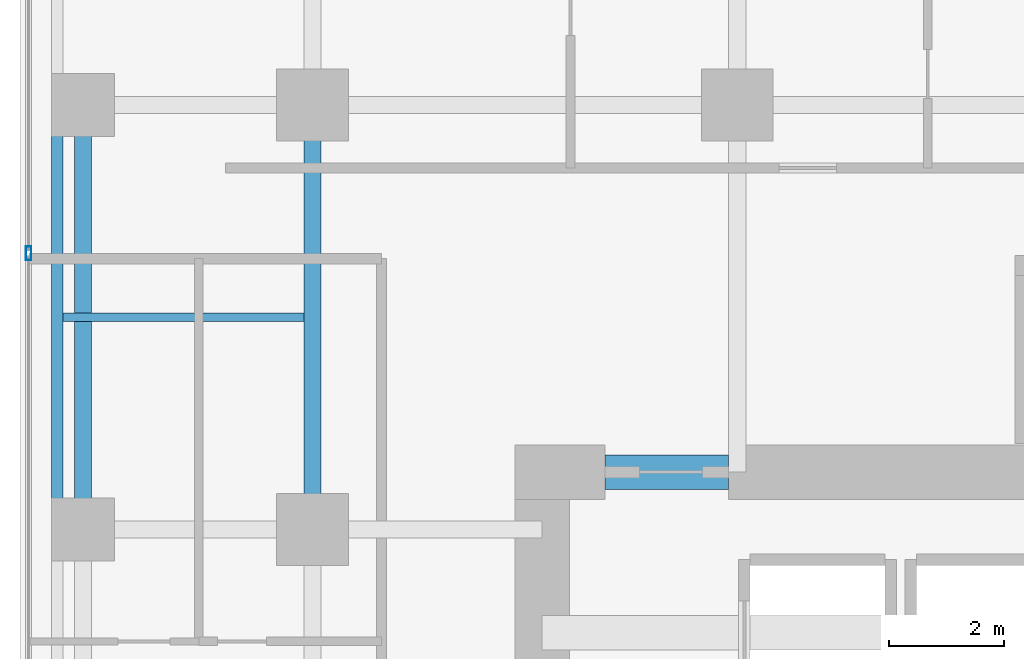
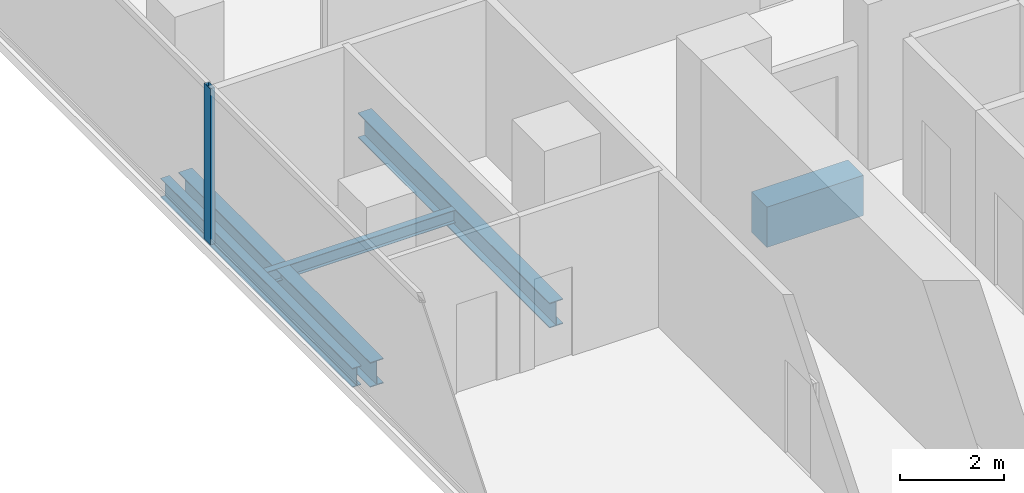
# One storey, part 7 of 27: 5 beams, 1 member, 1 element without a shape of its own.
"""IFC4 building model written with IfcOpenShell, lengths in metres."""

import ifcopenshell
import ifcopenshell.guid

model = None  # the IFC model being written
_history = None  # IfcOwnerHistory: only IFC2X3 demands one
_inside = {}  # id of a spatial element -> (the spatial element, [elements in it])
_under = {}  # id of a project, library or spatial element -> (it, [spatial elements below it])
_declared = {}  # id of a project -> (the project, [libraries it declares])
_typed = {}  # id of a type object -> (the type object, [elements of that type])
_made_of = {}  # id of a material, layer set ... -> (it, [elements and type objects made of it])


def new_model(schema):
    """Start an empty IFC model of exactly this schema.

    Asked for "IFC4X3", IfcOpenShell would pick the latest addendum, in which some entities
    have other attributes; the version numbers below select the first issue.
    IFC2X3 requires an IfcOwnerHistory on every rooted entity: one is made here for all.
    """
    global model, _history
    if schema == "IFC4X3":
        model = ifcopenshell.file(schema_version=(4, 3, 0, 0))
    else:
        model = ifcopenshell.file(schema=schema)
    _inside.clear()
    _under.clear()
    _declared.clear()
    _typed.clear()
    _made_of.clear()
    _history = None
    if model.schema == "IFC2X3":
        org = make("IfcOrganization", Name="unknown")
        user = make(
            "IfcPersonAndOrganization",
            ThePerson=make("IfcPerson", FamilyName="unknown"),
            TheOrganization=org,
        )
        app = make(
            "IfcApplication",
            ApplicationDeveloper=org,
            Version="unknown",
            ApplicationFullName="unknown",
            ApplicationIdentifier="unknown",
        )
        _history = make(
            "IfcOwnerHistory",
            OwningUser=user,
            OwningApplication=app,
            ChangeAction="ADDED",
            CreationDate=0,
        )
    return model


def make(cls, **values):
    """One entity of the class cls with the attributes given. An attribute that is None is left unset."""
    return model.create_entity(
        cls, **{name: value for name, value in values.items() if value is not None}
    )


def rooted(cls, **values):
    """An entity with a GlobalId (a new one), such as an element, a storey or a relation."""
    return make(cls, GlobalId=ifcopenshell.guid.new(), OwnerHistory=_history, **values)


def si_unit(unit_type, name, prefix=None):
    """IfcSIUnit, for example si_unit("LENGTHUNIT", "METRE", prefix="MILLI")."""
    return make("IfcSIUnit", UnitType=unit_type, Prefix=prefix, Name=name)


def assignment(units):
    """IfcUnitAssignment: the units of a project."""
    return None if units is None else make("IfcUnitAssignment", Units=units)


def point(xyz):
    """IfcCartesianPoint."""
    return None if xyz is None else make("IfcCartesianPoint", Coordinates=xyz)


def direction(xyz):
    """IfcDirection."""
    return None if xyz is None else make("IfcDirection", DirectionRatios=xyz)


def frame(location, z_axis=None, x_axis=None):
    """IfcAxis2Placement3D, a coordinate frame: its origin and axes. An axis left out is left unset."""
    return make(
        "IfcAxis2Placement3D",
        Location=point(location),
        Axis=direction(z_axis),
        RefDirection=direction(x_axis),
    )


def frame_2d(location, x_axis=None):
    """IfcAxis2Placement2D, a coordinate frame in the plane: its origin and x axis."""
    return make(
        "IfcAxis2Placement2D", Location=point(location), RefDirection=direction(x_axis)
    )


def origin():
    """The frame at (0, 0, 0) with its axes left unset."""
    return frame((0.0, 0.0, 0.0))


def origin_2d():
    """The frame at (0, 0) in the plane with its x axis left unset."""
    return frame_2d((0.0, 0.0))


def place(relative_to, where):
    """IfcLocalPlacement: puts the frame where relative to a parent placement (None: the world)."""
    return make(
        "IfcLocalPlacement", PlacementRelTo=relative_to, RelativePlacement=where
    )


def context(
    kind, dimensions, precision=None, world=None, true_north=None, identifier=None
):
    """IfcGeometricRepresentationContext, for example the 3D "Model" context."""
    return make(
        "IfcGeometricRepresentationContext",
        ContextIdentifier=identifier,
        ContextType=kind,
        CoordinateSpaceDimension=dimensions,
        Precision=precision,
        WorldCoordinateSystem=world,
        TrueNorth=true_north,
    )


def subcontext(parent, identifier, kind, view, scale=None):
    """IfcGeometricRepresentationSubContext, for example "Body" below "Model"."""
    return make(
        "IfcGeometricRepresentationSubContext",
        ContextIdentifier=identifier,
        ContextType=kind,
        ParentContext=parent,
        TargetScale=scale,
        TargetView=view,
    )


def project(units=None, contexts=None):
    """IfcProject with its units and contexts."""
    return rooted(
        "IfcProject",
        Name="project",
        RepresentationContexts=contexts,
        UnitsInContext=assignment(units),
    )


def spatial(cls, under=None, at=None, **own):
    """A site, building, storey or space (cls), placed at a placement, below another one or the project."""
    s = rooted(cls, ObjectPlacement=at, **own)
    if under is not None:
        _under.setdefault(under.id(), (under, []))[1].append(s)
    return s


def profile(cls, at=None, kind="AREA", **sizes):
    """A parametric profile (cls). Its sizes go by their IFC names, for example OverallWidth=200.0."""
    return make(cls, ProfileType=kind, Position=at, **sizes)


def rectangle(**sizes):
    """IfcRectangleProfileDef."""
    return profile("IfcRectangleProfileDef", **sizes)


def hollow_rectangle(**sizes):
    """IfcRectangleHollowProfileDef."""
    return profile("IfcRectangleHollowProfileDef", **sizes)


def i_section(**sizes):
    """IfcIShapeProfileDef."""
    return profile("IfcIShapeProfileDef", **sizes)


def extrude(swept, where, along, depth):
    """IfcExtrudedAreaSolid: the profile swept, set in the frame where, extruded along a direction by depth."""
    return make(
        "IfcExtrudedAreaSolid",
        SweptArea=swept,
        Position=where,
        ExtrudedDirection=direction(along),
        Depth=depth,
    )


def shape(context_of_items, identifier, shape_type, items):
    """IfcShapeRepresentation: the items that make up one representation, for example the "Body"."""
    return make(
        "IfcShapeRepresentation",
        ContextOfItems=context_of_items,
        RepresentationIdentifier=identifier,
        RepresentationType=shape_type,
        Items=items,
    )


def material(Name=None, Category=None):
    """IfcMaterial."""
    return make("IfcMaterial", Name=Name, Category=Category)


def layer(
    of_material, thickness, ventilated=None, Name=None, Category=None, Priority=None
):
    """IfcMaterialLayer: one layer of a wall or slab, of a material (None: an air gap)."""
    return make(
        "IfcMaterialLayer",
        Material=of_material,
        LayerThickness=thickness,
        IsVentilated=ventilated,
        Name=Name,
        Category=Category,
        Priority=Priority,
    )


def layer_set(layers, Name=None):
    """IfcMaterialLayerSet."""
    return make("IfcMaterialLayerSet", MaterialLayers=layers, LayerSetName=Name)


def material_profile(
    of_material, cross_section, Name=None, Category=None, Priority=None
):
    """IfcMaterialProfile: a cross section and its material."""
    return make(
        "IfcMaterialProfile",
        Name=Name,
        Material=of_material,
        Profile=cross_section,
        Priority=Priority,
        Category=Category,
    )


def profile_set(profiles, Name=None, composite=None):
    """IfcMaterialProfileSet."""
    return make(
        "IfcMaterialProfileSet",
        Name=Name,
        MaterialProfiles=profiles,
        CompositeProfile=composite,
    )


def made_of(thing, what):
    """Note that an element or type object is made of a material, layer set ...; save() writes the relation."""
    if what is not None:
        _made_of.setdefault(what.id(), (what, []))[1].append(thing)
    return thing


def type_object(cls, material=None, **own):
    """A type object (cls), such as IfcWallType, which elements share."""
    return made_of(rooted(cls, **own), material)


def element(
    cls,
    number,
    at=None,
    inside=None,
    cuts=None,
    type_object=None,
    material=None,
    context=None,
    identifier="Body",
    shape_type=None,
    held_by="IfcProductDefinitionShape",
    body=None,
    shapes=None,
    **own,
):
    """One element of the class cls, such as IfcWall. Its Tag is "e" and its number.

    at: its placement. inside: the storey or other place that contains it. cuts: it is an
    opening in that element (IfcRelVoidsElement). A single representation is given by context,
    identifier, shape_type and body (its items); several are given by shapes. held_by: the class
    of the entity that holds the representations. save() writes the other relations.
    """
    e = rooted(cls, Tag="e%d" % number, ObjectPlacement=at, **own)
    if body is not None:
        shapes = [shape(context, identifier, shape_type, body)]
    if shapes is not None:
        e.Representation = make(held_by, Representations=shapes)
    if inside is not None:
        _inside.setdefault(inside.id(), (inside, []))[1].append(e)
    if cuts is not None:
        rooted(
            "IfcRelVoidsElement", RelatingBuildingElement=cuts, RelatedOpeningElement=e
        )
    if type_object is not None:
        _typed.setdefault(type_object.id(), (type_object, []))[1].append(e)
    return made_of(e, material)


def aggregate(whole, parts):
    """IfcRelAggregates: a whole, such as a stair, and the parts it consists of."""
    return rooted("IfcRelAggregates", RelatingObject=whole, RelatedObjects=parts)


def save(model, path):
    """Write the relations noted so far, then the file.

    IfcRelAggregates (storeys below a building ...), IfcRelContainedInSpatialStructure (elements
    in a storey), IfcRelDefinesByType, IfcRelAssociatesMaterial and IfcRelDeclares: one each for
    every whole, place, type object, material and project.
    """
    for whole, parts in _under.values():
        aggregate(whole, parts)
    for where, things in _inside.values():
        rooted(
            "IfcRelContainedInSpatialStructure",
            RelatedElements=things,
            RelatingStructure=where,
        )
    for kind, things in _typed.values():
        rooted("IfcRelDefinesByType", RelatedObjects=things, RelatingType=kind)
    for what, things in _made_of.values():
        rooted("IfcRelAssociatesMaterial", RelatedObjects=things, RelatingMaterial=what)
    for by, libraries in _declared.values():
        rooted("IfcRelDeclares", RelatingContext=by, RelatedDefinitions=libraries)
    model.write(path)


model = new_model("IFC4")

# Units and contexts
model_context = context("Model", 3, precision=1e-05, world=origin(), true_north=direction((0.0, 1.0)))
body_context = subcontext(model_context, "Body", "Model", "MODEL_VIEW")
ifc_project = project(units=[si_unit("LENGTHUNIT", "METRE"), si_unit("AREAUNIT", "SQUARE_METRE"), si_unit("VOLUMEUNIT", "CUBIC_METRE"), si_unit("PLANEANGLEUNIT", "RADIAN"), si_unit("MASSUNIT", "GRAM", prefix="KILO")], contexts=[model_context])

# Site, building, storey
site_placement = place(None, origin())
site = spatial("IfcSite", under=ifc_project, at=site_placement, CompositionType="ELEMENT")
building_placement = place(site_placement, origin())
building = spatial("IfcBuilding", under=site, at=building_placement, Name="Khorvyn Point Tower", CompositionType="ELEMENT")
storey_placement = place(building_placement, frame((0.0, 0.0, 125.10009765625)))
storey = spatial("IfcBuildingStorey", under=building, at=storey_placement, Name="L31", CompositionType="ELEMENT", Elevation=125.10009765625)

# Curtain wall, member
ifc_material_1 = material(Name="Anodised aluminium 6063-T6 and laminated Low-E glass", Category="aluminium")
ifc_layer = layer(ifc_material_1, 0.18994140625)
ifc_layer_set = layer_set([ifc_layer], Name="Stick-Built Acoustic Curtain Wall CW-SYS-03")
curtain_wall_type = type_object("IfcCurtainWallType", Name="Stick-Built Acoustic Curtain Wall CW-SYS-03", PredefinedType="NOTDEFINED", material=ifc_layer_set)
curtain_wall_placement = place(storey_placement, origin())
curtain_wall = element("IfcCurtainWall", 1, at=curtain_wall_placement, inside=storey, type_object=curtain_wall_type, Name="Curtain Wall", PredefinedType="NOTDEFINED")
ifc_material_2 = material(Name="Anodised aluminium 6063-T6", Category="aluminium")
ifc_material_profile_1 = material_profile(ifc_material_2, hollow_rectangle(XDim=0.10009765625, YDim=0.239990234375, WallThickness=0.0048828125, at=origin_2d()))
ifc_profile_set_1 = profile_set([ifc_material_profile_1], Name="Anodised aluminium 6063-T6 ALU-MUL-100x240")
member_type = type_object("IfcMemberType", Name="Anodised Aluminium 6063-T6 Mullion ALU-MUL-100x240", PredefinedType="MULLION", material=ifc_profile_set_1)
member_placement = place(storey_placement, frame((-19.75, 12.216552734375, 0.0), z_axis=(0.0, 0.0, 1.0), x_axis=(-1.0, 0.0, 0.0)))
member = element("IfcMember", 2, at=member_placement, type_object=member_type, Name="Transom", PredefinedType="MULLION", context=body_context, shape_type="SweptSolid", body=[
    extrude(hollow_rectangle(XDim=0.10009765625, YDim=0.239990234375, WallThickness=0.0048828125, at=origin_2d()), origin(), (0.0, 0.0, 1.0), 3.679931640625),
])
aggregate(curtain_wall, [member])

# Beams
ifc_material_3 = material(Name="Concrete C50/60", Category="concrete")
ifc_material_profile_2 = material_profile(ifc_material_3, rectangle(XDim=0.60009765625, YDim=0.949951171875, at=origin_2d()))
ifc_profile_set_2 = profile_set([ifc_material_profile_2], Name="Concrete C50/60 RC600x950")
beam_type_1 = type_object("IfcBeamType", Name="Concrete C50/60 Beam RC600x950", PredefinedType="BEAM", material=ifc_profile_set_2)
beam_1_placement = place(storey_placement, frame((-9.699951171875, 8.39990234375, -0.695068359375), z_axis=(1.0, 0.0, 0.0), x_axis=(0.0, 1.0, 0.0)))
element("IfcBeam", 3, at=beam_1_placement, inside=storey, type_object=beam_type_1, Name="L31 Core Northwest Portal Coupling Beam", PredefinedType="BEAM", context=body_context, shape_type="SweptSolid", body=[
    extrude(rectangle(XDim=0.60009765625, YDim=0.949951171875, at=origin_2d()), origin(), (0.0, 0.0, 1.0), 2.14990234375),
])
ifc_material_4 = material(Name="Steel S355", Category="steel")
ifc_material_profile_3 = material_profile(ifc_material_4, i_section(OverallWidth=0.300048828125, OverallDepth=0.587890625, WebThickness=0.011962890625, FlangeThickness=0.02001953125, at=origin_2d()))
ifc_profile_set_3 = profile_set([ifc_material_profile_3], Name="Steel S355 H588x300x12x20")
beam_type_2 = type_object("IfcBeamType", Name="Steel S355 Beam H588x300x12x20", PredefinedType="BEAM", material=ifc_profile_set_3)
for number, where, z_axis, x_axis, name in (
    (4, (-14.800048828125, 7.39990234375, -0.51416015625), (0.0, 1.0, 0.0), (-1.0, 0.0, 0.0), "Beam"),
    (5, (-18.800048828125, 7.39990234375, -0.51416015625), (0.0, 1.0, 0.0), (-1.0, 0.0, 0.0), "Beam"),
):
    element("IfcBeam", number, at=place(storey_placement, frame(where, z_axis=z_axis, x_axis=x_axis)), inside=storey, type_object=beam_type_2, Name=name, PredefinedType="BEAM", context=body_context, shape_type="SweptSolid", body=[
        extrude(i_section(OverallWidth=0.300048828125, OverallDepth=0.587890625, WebThickness=0.011962890625, FlangeThickness=0.02001953125, at=origin_2d()), origin(), (0.0, 0.0, 1.0), 7.400146484375),
    ])
ifc_material_profile_4 = material_profile(ifc_material_4, i_section(OverallWidth=0.14990234375, OverallDepth=0.300048828125, WebThickness=0.006591796875, FlangeThickness=0.009033203125, at=origin_2d()))
ifc_profile_set_4 = profile_set([ifc_material_profile_4], Name="Steel S355 H300x150x6.5x9")
beam_type_3 = type_object("IfcBeamType", Name="Steel S355 Joist H300x150x6.5x9", PredefinedType="JOIST", material=ifc_profile_set_4)
beam_2_placement = place(storey_placement, frame((-19.14990234375, 11.10009765625, -0.3701171875), z_axis=(1.0, 0.0, 0.0), x_axis=(0.0, 1.0, 0.0)))
element("IfcBeam", 6, at=beam_2_placement, inside=storey, type_object=beam_type_3, Name="Beam", PredefinedType="JOIST", context=body_context, shape_type="SweptSolid", body=[
    extrude(i_section(OverallWidth=0.14990234375, OverallDepth=0.300048828125, WebThickness=0.006591796875, FlangeThickness=0.009033203125, at=origin_2d()), origin(), (0.0, 0.0, 1.0), 4.199951171875),
])
ifc_material_profile_5 = material_profile(ifc_material_4, i_section(OverallWidth=0.199951171875, OverallDepth=0.449951171875, WebThickness=0.009033203125, FlangeThickness=0.013916015625, at=origin_2d()))
ifc_profile_set_5 = profile_set([ifc_material_profile_5], Name="Steel S355 H450x200x9x14")
beam_type_4 = type_object("IfcBeamType", Name="Steel S355 Spandrel H450x200x9x14", PredefinedType="SPANDREL", material=ifc_profile_set_5)
beam_3_placement = place(storey_placement, frame((-19.25, 7.39990234375, -0.445068359375), z_axis=(0.0, 1.0, 0.0), x_axis=(-1.0, 0.0, 0.0)))
element("IfcBeam", 7, at=beam_3_placement, inside=storey, type_object=beam_type_4, Name="Beam", PredefinedType="SPANDREL", context=body_context, shape_type="SweptSolid", body=[
    extrude(i_section(OverallWidth=0.199951171875, OverallDepth=0.449951171875, WebThickness=0.009033203125, FlangeThickness=0.013916015625, at=origin_2d()), origin(), (0.0, 0.0, 1.0), 7.400146484375),
])

save(model, "model.ifc")
